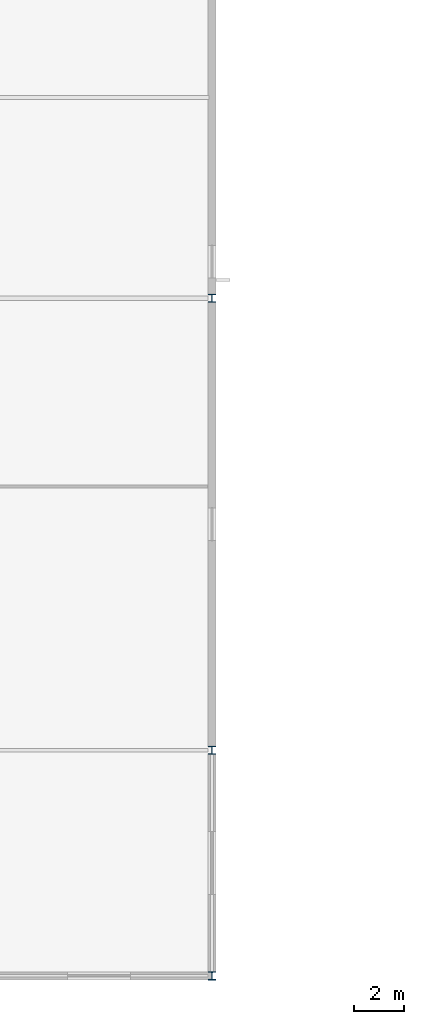
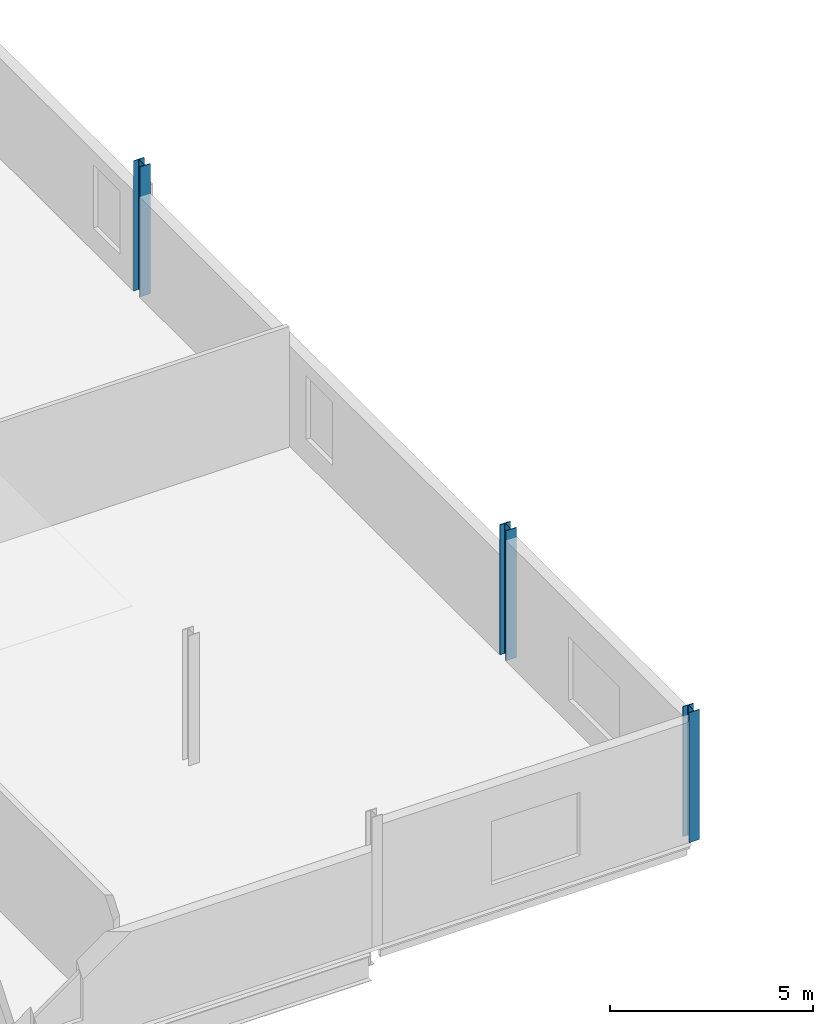
# One storey, part 2 of 31: 3 columns.
"""IFC4 building model written with IfcOpenShell, lengths in metres."""

from ifc_helpers import new_model, si_unit, direction, frame, origin, origin_2d, place, context, subcontext, project, spatial, i_section, extrude, material, material_profile, profile_set, type_object, element, save


model = new_model("IFC4")

# Units and contexts
model_context = context("Model", 3, precision=1e-05, world=origin(), true_north=direction((0.0, 1.0)))
body_context = subcontext(model_context, "Body", "Model", "MODEL_VIEW")
ifc_project = project(units=[si_unit("LENGTHUNIT", "METRE"), si_unit("AREAUNIT", "SQUARE_METRE"), si_unit("VOLUMEUNIT", "CUBIC_METRE"), si_unit("PLANEANGLEUNIT", "RADIAN"), si_unit("MASSUNIT", "GRAM", prefix="KILO")], contexts=[model_context])

# Site, building, storey
site_placement = place(None, origin())
site = spatial("IfcSite", under=ifc_project, at=site_placement, CompositionType="ELEMENT")
building_placement = place(site_placement, origin())
building = spatial("IfcBuilding", under=site, at=building_placement, Name="Kisiwana Market Hall", CompositionType="ELEMENT")
storey_placement = place(building_placement, frame((0.0, 0.0, 45.60009765625)))
storey = spatial("IfcBuildingStorey", under=building, at=storey_placement, Name="L10", CompositionType="ELEMENT", Elevation=45.60009765625)

# Columns
ifc_material = material(Name="Steel S355", Category="steel")
ifc_material_profile = material_profile(ifc_material, i_section(OverallWidth=0.300048828125, OverallDepth=0.320068359375, WebThickness=0.011474609375, FlangeThickness=0.0205078125, FilletRadius=0.027099609375, at=origin_2d()), Name="HEB 320")
ifc_profile_set = profile_set([ifc_material_profile], Name="Steel S355")
column_type = type_object("IfcColumnType", Name="COL-STL-HEB320", PredefinedType="COLUMN", material=ifc_profile_set)
for number, where, z_axis, x_axis, name in (
    (1, (36.0, 9.0, 0.0), (0.0, 0.0, 1.0), (1.0, 0.0, 0.0), "Column B/5 (L10) C-1286"),
    (2, (36.0, 18.0, 0.0), (0.0, 0.0, 1.0), (1.0, 0.0, 0.0), "Column C/5 (L10) C-1287"),
    (3, (36.0, 36.0, 0.0), (0.0, 0.0, 1.0), (1.0, 0.0, 0.0), "Column E/5 (L10) C-1288"),
):
    element("IfcColumn", number, at=place(storey_placement, frame(where, z_axis=z_axis, x_axis=x_axis)), inside=storey, type_object=column_type, Name=name, PredefinedType="COLUMN", context=body_context, shape_type="SweptSolid", body=[
        extrude(i_section(OverallWidth=0.300048828125, OverallDepth=0.320068359375, WebThickness=0.011474609375, FlangeThickness=0.0205078125, FilletRadius=0.027099609375, at=origin_2d()), origin(), (0.0, 0.0, 1.0), 3.89990234375),
    ])

save(model, "model.ifc")
